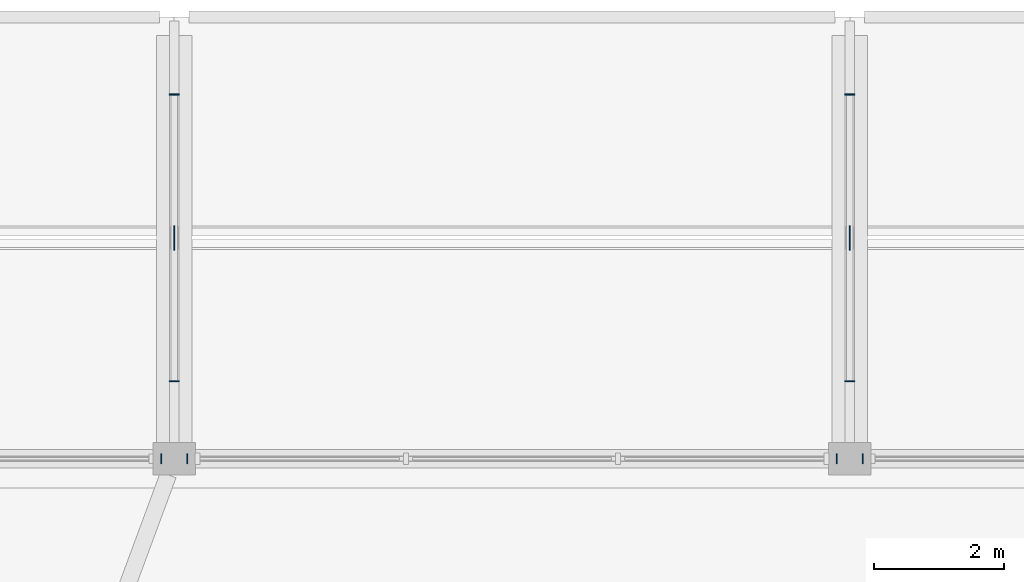
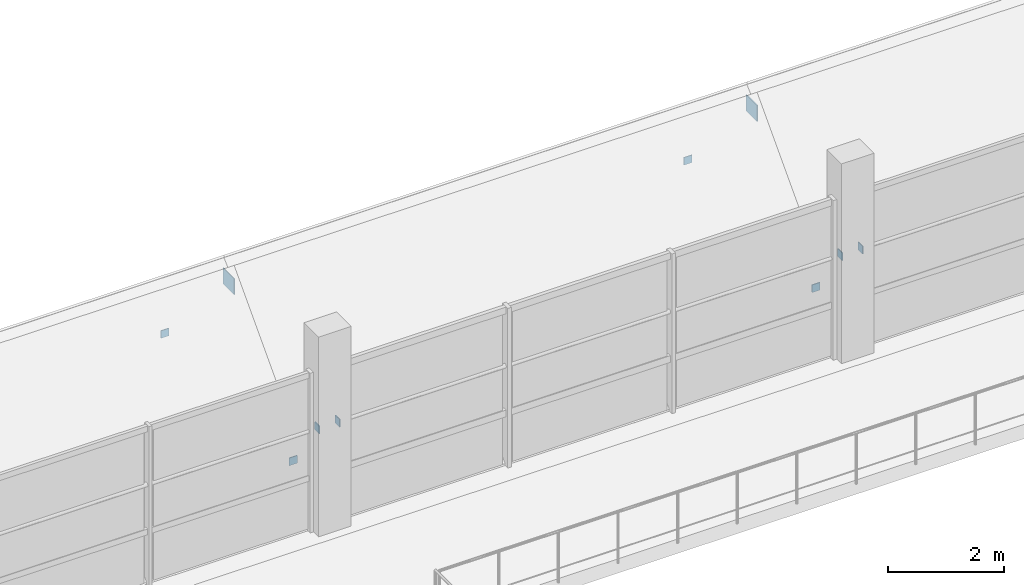
# One storey, part 43 of 85: 10 plates.
"""IFC4 building model written with IfcOpenShell, lengths in metres."""

from ifc_helpers import new_model, si_unit, derived_unit, direction, frame, origin, origin_2d, place, context, subcontext, project, spatial, rectangle, extrude, material, layer, layer_set, type_object, element, save


model = new_model("IFC4")

# Units and contexts
model_context = context("Model", 3, precision=1e-05, world=origin(), true_north=direction((0.0, 1.0)))
body_context = subcontext(model_context, "Body", "Model", "MODEL_VIEW")
ifc_project = project(units=[si_unit("LENGTHUNIT", "METRE"), si_unit("AREAUNIT", "SQUARE_METRE"), si_unit("VOLUMEUNIT", "CUBIC_METRE"), si_unit("PLANEANGLEUNIT", "RADIAN"), si_unit("MASSUNIT", "GRAM", prefix="KILO"), derived_unit("THERMALTRANSMITTANCEUNIT", [(si_unit("POWERUNIT", "WATT"), 1), (si_unit("LENGTHUNIT", "METRE"), -2), (si_unit("THERMODYNAMICTEMPERATUREUNIT", "KELVIN"), -1)])], contexts=[model_context])

# Site, building, storey
site_placement = place(None, origin())
site = spatial("IfcSite", under=ifc_project, at=site_placement, CompositionType="ELEMENT")
building_placement = place(site_placement, origin())
building = spatial("IfcBuilding", under=site, at=building_placement, Name="Braskholm Square Health Centre", CompositionType="ELEMENT")
storey_placement = place(building_placement, frame((0.0, 0.0, 9.300048828125)))
storey = spatial("IfcBuildingStorey", under=building, at=storey_placement, Name="L03", CompositionType="ELEMENT", Elevation=9.300048828125)

# Plates
ifc_material = material(Name="Steel ASTM A572 Grade 50", Category="steel")
ifc_layer_1 = layer(ifc_material, 0.01611328125)
ifc_layer_set_1 = layer_set([ifc_layer_1], Name="Steel ASTM A572 Grade 50")
plate_type_1 = type_object("IfcPlateType", Name="CapPlateHSS152TN8", PredefinedType="USERDEFINED", material=ifc_layer_set_1)
for number, where, z_axis, x_axis, name in (
    (1, (68.197998046875, 107.0, 2.02001953125), (0.0, 0.0, 1.0), (1.0, 0.0, 0.0), "Hollow section end cap plate 0288"),
    (2, (68.60205078125, 107.0, 2.02001953125), (0.0, 0.0, 1.0), (1.0, 0.0, 0.0), "Hollow section end cap plate 0295"),
    (3, (78.597900390625, 107.0, 2.02001953125), (0.0, 0.0, 1.0), (1.0, 0.0, 0.0), "Hollow section end cap plate 0296"),
    (4, (79.001953125, 107.0, 2.02001953125), (0.0, 0.0, 1.0), (1.0, 0.0, 0.0), "Hollow section end cap plate 0303"),
    (5, (68.39990234375, 108.19189453125, 0.5400390625), (0.0, 0.0, 1.0), (0.0, 1.0, 0.0), "Hollow section end cap plate 0332"),
    (6, (68.39990234375, 112.60791015625, 0.5400390625), (0.0, 0.0, 1.0), (0.0, 1.0, 0.0), "Hollow section end cap plate 0333"),
    (7, (78.800048828125, 108.19189453125, 0.5400390625), (0.0, 0.0, 1.0), (0.0, 1.0, 0.0), "Hollow section end cap plate 0335"),
    (8, (78.800048828125, 112.60791015625, 0.5400390625), (0.0, 0.0, 1.0), (0.0, 1.0, 0.0), "Hollow section end cap plate 0336"),
):
    element("IfcPlate", number, at=place(storey_placement, frame(where, z_axis=z_axis, x_axis=x_axis)), inside=storey, type_object=plate_type_1, Name=name, ObjectType="CAP_PLATE", PredefinedType="USERDEFINED", context=body_context, shape_type="SweptSolid", body=[
        extrude(rectangle(XDim=0.01611328125, YDim=0.159912109375, at=origin_2d()), origin(), (0.0, 0.0, 1.0), 0.159912109375),
    ])
ifc_layer_2 = layer(ifc_material, 0.01806640625)
ifc_layer_set_2 = layer_set([ifc_layer_2], Name="Steel ASTM A572 Grade 50")
plate_type_2 = type_object("IfcPlateType", Name="NodeGussetConservatoryTN5", PredefinedType="USERDEFINED", material=ifc_layer_set_2)
for number, where, z_axis, x_axis, name in (
    (9, (68.39990234375, 110.39990234375, 2.8798828125), (0.0, 0.0, 1.0), (1.0, 0.0, 0.0), "Conservatory ridge gusset plate 0334"),
    (10, (78.800048828125, 110.39990234375, 2.8798828125), (0.0, 0.0, 1.0), (1.0, 0.0, 0.0), "Conservatory ridge gusset plate 0337"),
):
    element("IfcPlate", number, at=place(storey_placement, frame(where, z_axis=z_axis, x_axis=x_axis)), inside=storey, type_object=plate_type_2, Name=name, ObjectType="GUSSET_PLATE", PredefinedType="USERDEFINED", context=body_context, shape_type="SweptSolid", body=[
        extrude(rectangle(XDim=0.01806640625, YDim=0.3798828125, at=origin_2d()), origin(), (0.0, 0.0, 1.0), 0.340087890625),
    ])

save(model, "model.ifc")
